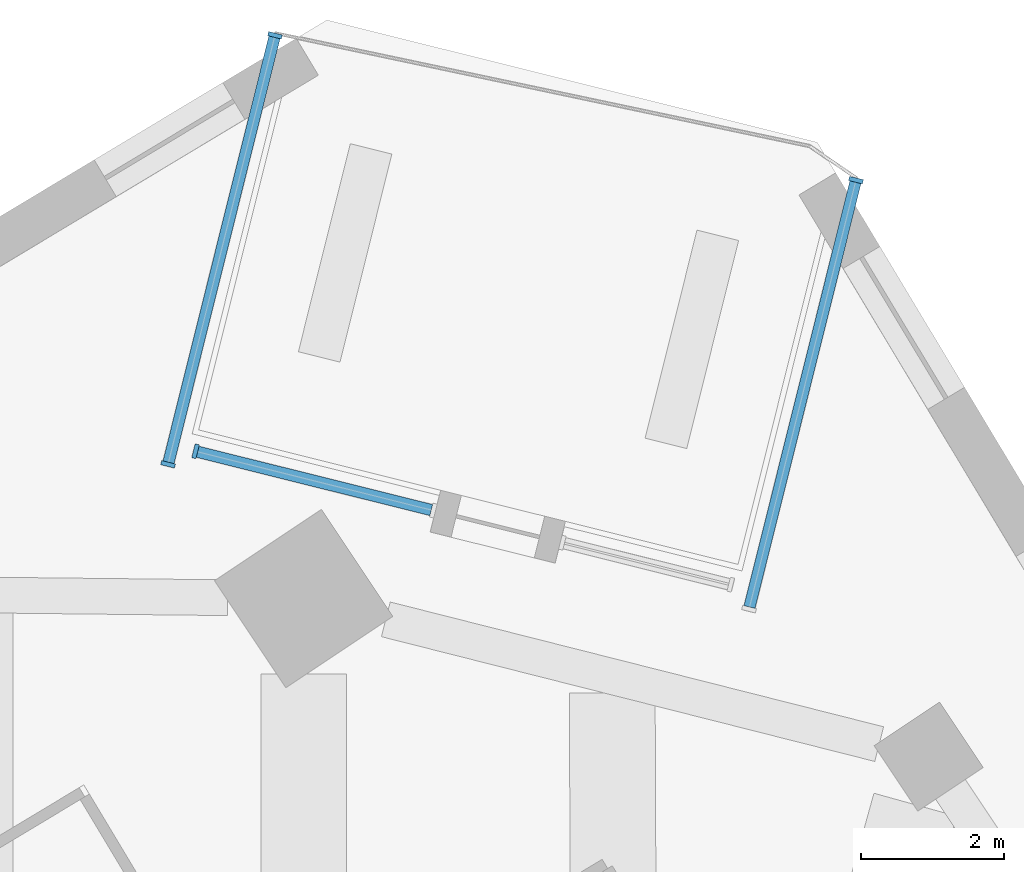
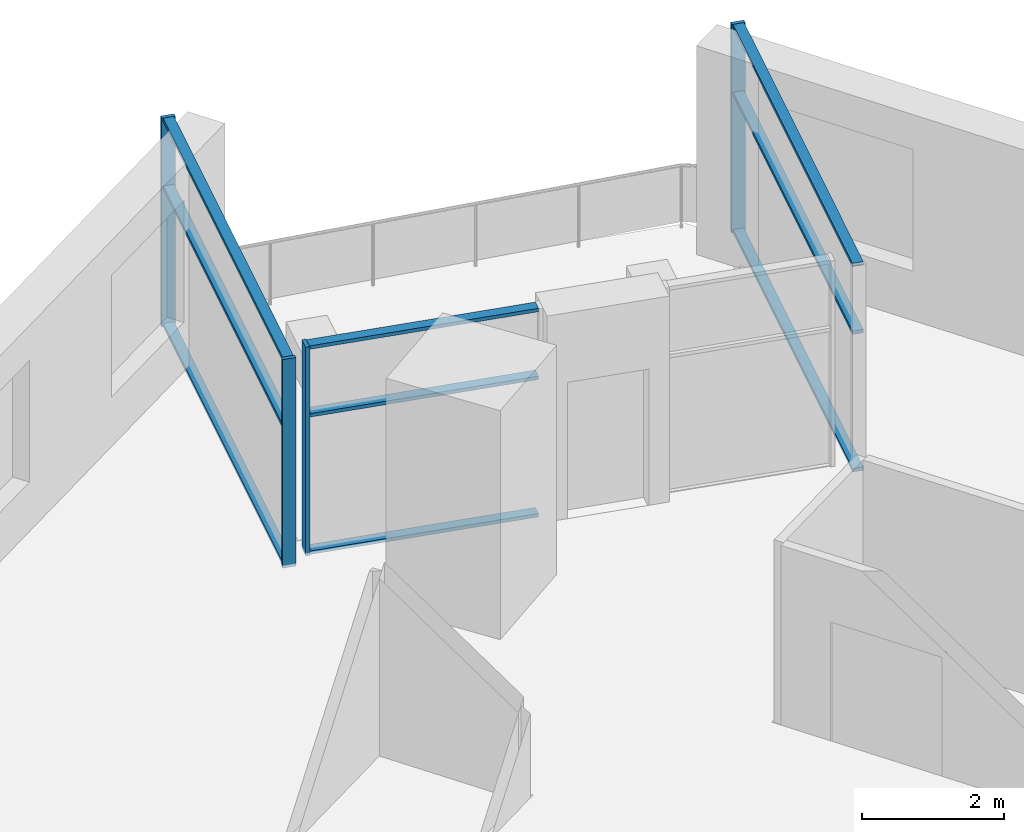
# One storey, part 4 of 14: 13 members, 3 elements without a shape of their own.
"""IFC4 building model written with IfcOpenShell, lengths in metres."""

from ifc_helpers import new_model, si_unit, direction, frame, origin, origin_2d, place, context, subcontext, project, spatial, rectangle, extrude, material, material_profile, profile_set, type_object, element, aggregate, save


model = new_model("IFC4")

# Units and contexts
model_context = context("Model", 3, precision=1e-05, world=origin(), true_north=direction((0.0, 1.0)))
body_context = subcontext(model_context, "Body", "Model", "MODEL_VIEW")
ifc_project = project(units=[si_unit("LENGTHUNIT", "METRE"), si_unit("AREAUNIT", "SQUARE_METRE"), si_unit("VOLUMEUNIT", "CUBIC_METRE"), si_unit("PLANEANGLEUNIT", "RADIAN"), si_unit("MASSUNIT", "GRAM", prefix="KILO")], contexts=[model_context])

# Site, building, storey
site_placement = place(None, origin())
site = spatial("IfcSite", under=ifc_project, at=site_placement, CompositionType="ELEMENT")
building_placement = place(site_placement, origin())
building = spatial("IfcBuilding", under=site, at=building_placement, Name="Dilmun Exchange Tower", CompositionType="ELEMENT")
storey_placement = place(building_placement, frame((0.0, 0.0, 147.699951171875)))
storey = spatial("IfcBuildingStorey", under=building, at=storey_placement, Name="L34", CompositionType="ELEMENT", Elevation=147.699951171875)

# Curtain wall, member
ifc_material_1 = material(Name="Anodised aluminium and clear glass", Category="aluminium")
curtain_wall_type = type_object("IfcCurtainWallType", Name="Garden corner glazing", PredefinedType="NOTDEFINED", material=ifc_material_1)
curtain_wall_1_placement = place(storey_placement, origin())
curtain_wall_1 = element("IfcCurtainWall", 1, at=curtain_wall_1_placement, inside=storey, type_object=curtain_wall_type, Name="Garden corner glazing run GC1.1", PredefinedType="NOTDEFINED")
ifc_material_2 = material(Name="Anodised aluminium", Category="aluminium")
ifc_material_profile_1 = material_profile(ifc_material_2, rectangle(XDim=0.199951171875, YDim=0.06005859375, at=origin_2d()), Name="AL 60x200")
ifc_profile_set_1 = profile_set([ifc_material_profile_1], Name="Anodised aluminium")
member_type_1 = type_object("IfcMemberType", Name="Garden corner glazing mullion 60 x 200", PredefinedType="MULLION", material=ifc_profile_set_1)
member_1_placement = place(storey_placement, frame((15.234619140625, 33.264404296875, 0.0), z_axis=(0.0, 0.0, 1.0), x_axis=(0.970297683836, -0.241914044119, 0.0)))
member_1 = element("IfcMember", 2, at=member_1_placement, type_object=member_type_1, Name="GC1.1 mullion 1", PredefinedType="MULLION", context=body_context, shape_type="SweptSolid", body=[
    extrude(rectangle(XDim=0.199951171875, YDim=0.06005859375, at=origin_2d()), origin(), (0.0, 0.0, 1.0), 3.60009765625),
])

curtain_wall_2_placement = place(storey_placement, origin())
curtain_wall_2 = element("IfcCurtainWall", 3, at=curtain_wall_2_placement, inside=storey, type_object=curtain_wall_type, Name="Garden corner glazing run GC2.3", PredefinedType="NOTDEFINED")
member_2_placement = place(storey_placement, frame((5.994140625, 29.470458984375, 0.0), z_axis=(0.0, 0.0, 1.0), x_axis=(-0.24189492487, -0.970302450436, 0.0)))
member_2 = element("IfcMember", 4, at=member_2_placement, type_object=member_type_1, Name="GC2.3 mullion 2", PredefinedType="MULLION", context=body_context, shape_type="SweptSolid", body=[
    extrude(rectangle(XDim=0.199951171875, YDim=0.06005859375, at=origin_2d()), origin(), (0.0, 0.0, 1.0), 3.60009765625),
])

# Curtain wall, members
curtain_wall_3_placement = place(storey_placement, origin())
curtain_wall_3 = element("IfcCurtainWall", 5, at=curtain_wall_3_placement, inside=storey, type_object=curtain_wall_type, Name="Garden corner glazing run GC3.1", PredefinedType="NOTDEFINED")
member_3_placement = place(storey_placement, frame((5.608642578125, 29.288330078125, 0.0), z_axis=(0.0, 0.0, 1.0), x_axis=(-0.970297683836, 0.241914044119, 0.0)))
member_3 = element("IfcMember", 6, at=member_3_placement, type_object=member_type_1, Name="GC3.1 mullion 1", PredefinedType="MULLION", context=body_context, shape_type="SweptSolid", body=[
    extrude(rectangle(XDim=0.199951171875, YDim=0.06005859375, at=origin_2d()), origin(), (0.0, 0.0, 1.0), 3.60009765625),
])
member_4_placement = place(storey_placement, frame((7.105224609375, 35.291015625, 0.0), z_axis=(0.0, 0.0, 1.0), x_axis=(-0.970297683836, 0.241914044119, 0.0)))
member_4 = element("IfcMember", 7, at=member_4_placement, type_object=member_type_1, Name="GC3.1 mullion 2", PredefinedType="MULLION", context=body_context, shape_type="SweptSolid", body=[
    extrude(rectangle(XDim=0.199951171875, YDim=0.06005859375, at=origin_2d()), origin(), (0.0, 0.0, 1.0), 3.60009765625),
])

# Member
ifc_material_profile_2 = material_profile(ifc_material_2, rectangle(XDim=0.159912109375, YDim=0.06005859375, at=origin_2d()), Name="AL 60x160")
ifc_profile_set_2 = profile_set([ifc_material_profile_2], Name="Anodised aluminium")
member_type_2 = type_object("IfcMemberType", Name="Garden corner glazing transom 60 x 160", PredefinedType="USERDEFINED", material=ifc_profile_set_2)
member_5_placement = place(storey_placement, frame((15.227294921875, 33.235107421875, 0.030029296875), z_axis=(-0.241935469338, -0.970292341862, 0.0), x_axis=(0.970292341862, -0.241935469338, 0.0)))
member_5 = element("IfcMember", 8, at=member_5_placement, type_object=member_type_2, Name="GC1.1 transom 1.1", ObjectType="TRANSOM", PredefinedType="USERDEFINED", context=body_context, shape_type="SweptSolid", body=[
    extrude(rectangle(XDim=0.159912109375, YDim=0.06005859375, at=origin_2d()), origin(), (0.0, 0.0, 1.0), 6.126220703125),
])

member_6_placement = place(storey_placement, frame((15.227294921875, 33.235107421875, 2.400146484375), z_axis=(-0.241935469338, -0.970292341862, 0.0), x_axis=(0.970292341862, -0.241935469338, 0.0)))
member_6 = element("IfcMember", 9, at=member_6_placement, type_object=member_type_2, Name="GC1.1 transom 1.2", ObjectType="TRANSOM", PredefinedType="USERDEFINED", context=body_context, shape_type="SweptSolid", body=[
    extrude(rectangle(XDim=0.159912109375, YDim=0.06005859375, at=origin_2d()), origin(), (0.0, 0.0, 1.0), 6.126220703125),
])

member_7_placement = place(storey_placement, frame((15.227294921875, 33.235107421875, 3.570068359375), z_axis=(-0.241935469338, -0.970292341862, 0.0), x_axis=(0.970292341862, -0.241935469338, 0.0)))
member_7 = element("IfcMember", 10, at=member_7_placement, type_object=member_type_2, Name="GC1.1 transom 1.3", ObjectType="TRANSOM", PredefinedType="USERDEFINED", context=body_context, shape_type="SweptSolid", body=[
    extrude(rectangle(XDim=0.159912109375, YDim=0.06005859375, at=origin_2d()), origin(), (0.0, 0.0, 1.0), 6.126220703125),
])

aggregate(curtain_wall_1, [member_1, member_5, member_6, member_7])

member_8_placement = place(storey_placement, frame((9.292236328125, 28.648193359375, 0.030029296875), z_axis=(-0.970287254091, 0.241955873145, 0.0), x_axis=(-0.241955873145, -0.970287254091, 0.0)))
member_8 = element("IfcMember", 11, at=member_8_placement, type_object=member_type_2, Name="GC2.3 transom 1.1", ObjectType="TRANSOM", PredefinedType="USERDEFINED", context=body_context, shape_type="SweptSolid", body=[
    extrude(rectangle(XDim=0.159912109375, YDim=0.06005859375, at=origin_2d()), origin(), (0.0, 0.0, 1.0), 3.369140625),
])

member_9_placement = place(storey_placement, frame((9.292236328125, 28.648193359375, 2.400146484375), z_axis=(-0.970287254091, 0.241955873145, 0.0), x_axis=(-0.241955873145, -0.970287254091, 0.0)))
member_9 = element("IfcMember", 12, at=member_9_placement, type_object=member_type_2, Name="GC2.3 transom 1.2", ObjectType="TRANSOM", PredefinedType="USERDEFINED", context=body_context, shape_type="SweptSolid", body=[
    extrude(rectangle(XDim=0.159912109375, YDim=0.06005859375, at=origin_2d()), origin(), (0.0, 0.0, 1.0), 3.369140625),
])

member_10_placement = place(storey_placement, frame((9.292236328125, 28.648193359375, 3.570068359375), z_axis=(-0.970287254091, 0.241955873145, 0.0), x_axis=(-0.241955873145, -0.970287254091, 0.0)))
member_10 = element("IfcMember", 13, at=member_10_placement, type_object=member_type_2, Name="GC2.3 transom 1.3", ObjectType="TRANSOM", PredefinedType="USERDEFINED", context=body_context, shape_type="SweptSolid", body=[
    extrude(rectangle(XDim=0.159912109375, YDim=0.06005859375, at=origin_2d()), origin(), (0.0, 0.0, 1.0), 3.369140625),
])

aggregate(curtain_wall_2, [member_2, member_8, member_9, member_10])

member_11_placement = place(storey_placement, frame((5.615966796875, 29.317626953125, 0.030029296875), z_axis=(0.241897950378, 0.970301696177, 0.0), x_axis=(-0.970301696177, 0.241897950378, 0.0)))
member_11 = element("IfcMember", 14, at=member_11_placement, type_object=member_type_2, Name="GC3.1 transom 1.1", ObjectType="TRANSOM", PredefinedType="USERDEFINED", context=body_context, shape_type="SweptSolid", body=[
    extrude(rectangle(XDim=0.159912109375, YDim=0.06005859375, at=origin_2d()), origin(), (0.0, 0.0, 1.0), 6.126220703125),
])

member_12_placement = place(storey_placement, frame((5.615966796875, 29.317626953125, 2.400146484375), z_axis=(0.241897950378, 0.970301696177, 0.0), x_axis=(-0.970301696177, 0.241897950378, 0.0)))
member_12 = element("IfcMember", 15, at=member_12_placement, type_object=member_type_2, Name="GC3.1 transom 1.2", ObjectType="TRANSOM", PredefinedType="USERDEFINED", context=body_context, shape_type="SweptSolid", body=[
    extrude(rectangle(XDim=0.159912109375, YDim=0.06005859375, at=origin_2d()), origin(), (0.0, 0.0, 1.0), 6.126220703125),
])

member_13_placement = place(storey_placement, frame((5.615966796875, 29.317626953125, 3.570068359375), z_axis=(0.241897950378, 0.970301696177, 0.0), x_axis=(-0.970301696177, 0.241897950378, 0.0)))
member_13 = element("IfcMember", 16, at=member_13_placement, type_object=member_type_2, Name="GC3.1 transom 1.3", ObjectType="TRANSOM", PredefinedType="USERDEFINED", context=body_context, shape_type="SweptSolid", body=[
    extrude(rectangle(XDim=0.159912109375, YDim=0.06005859375, at=origin_2d()), origin(), (0.0, 0.0, 1.0), 6.126220703125),
])

aggregate(curtain_wall_3, [member_3, member_4, member_11, member_12, member_13])

save(model, "model.ifc")
